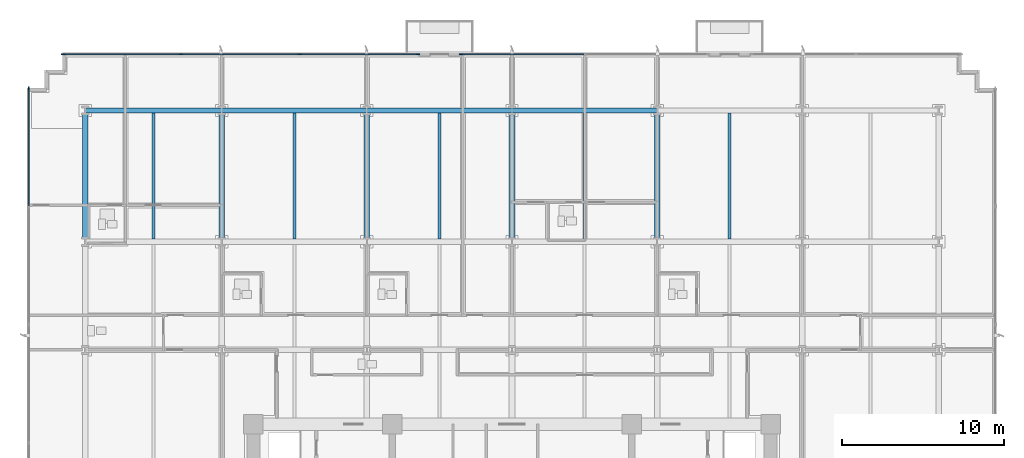
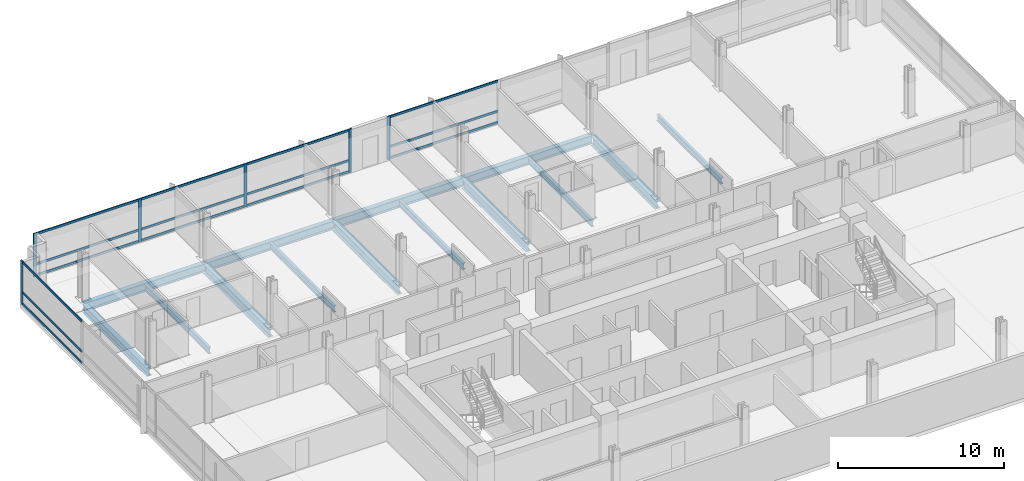
# One storey, part 5 of 16: 21 members, 14 beams, 3 elements without a shape of their own.
"""IFC4 building model written with IfcOpenShell, lengths in metres."""

from ifc_helpers import new_model, si_unit, direction, frame, origin, origin_2d, place, context, subcontext, project, spatial, rectangle, i_section, extrude, material, material_profile, profile_set, type_object, element, aggregate, save


model = new_model("IFC4")

# Units and contexts
model_context = context("Model", 3, precision=1e-05, world=origin(), true_north=direction((0.0, 1.0)))
body_context = subcontext(model_context, "Body", "Model", "MODEL_VIEW")
ifc_project = project(units=[si_unit("LENGTHUNIT", "METRE"), si_unit("AREAUNIT", "SQUARE_METRE"), si_unit("VOLUMEUNIT", "CUBIC_METRE"), si_unit("PLANEANGLEUNIT", "RADIAN"), si_unit("MASSUNIT", "GRAM", prefix="KILO")], contexts=[model_context])

# Site, building, storey
site_placement = place(None, origin())
site = spatial("IfcSite", under=ifc_project, at=site_placement, CompositionType="ELEMENT")
building_placement = place(site_placement, origin())
building = spatial("IfcBuilding", under=site, at=building_placement, Name="Solmavex Isthmus Hotel", CompositionType="ELEMENT")
storey_placement = place(building_placement, frame((0.0, 0.0, 36.75)))
storey = spatial("IfcBuildingStorey", under=building, at=storey_placement, Name="L09", CompositionType="ELEMENT", Elevation=36.75)

# Beams
ifc_material_1 = material(Name="Steel ASTM A992 Grade 50", Category="steel")
ifc_material_profile_1 = material_profile(ifc_material_1, i_section(OverallWidth=0.354736328125, OverallDepth=0.695556640625, WebThickness=0.015380859375, FlangeThickness=0.02490234375, FilletRadius=0.017822265625, at=origin_2d()), Name="W27X146")
ifc_profile_set_1 = profile_set([ifc_material_profile_1], Name="Steel ASTM A992 Grade 50")
beam_type_1 = type_object("IfcBeamType", Name="BM-BG-W27X146", PredefinedType="BEAM", material=ifc_profile_set_1)
for number, where, z_axis, x_axis, name in (
    (1, (-17.951904296875, 8.96533203125, -0.607666015625), (0.0, 1.0, 0.0), (-1.0, 0.0, 0.0), "Floor Beam L09-VG30"),
    (2, (-8.97607421875, 8.96533203125, -0.607666015625), (0.0, 1.0, 0.0), (-1.0, 0.0, 0.0), "Floor Beam L09-VG34"),
    (3, (0.0, 8.96533203125, -0.607666015625), (0.0, 1.0, 0.0), (-1.0, 0.0, 0.0), "Floor Beam L09-VG38"),
    (4, (8.97607421875, 8.96533203125, -0.607666015625), (0.0, 1.0, 0.0), (-1.0, 0.0, 0.0), "Floor Beam L09-VG42"),
):
    element("IfcBeam", number, at=place(storey_placement, frame(where, z_axis=z_axis, x_axis=x_axis)), inside=storey, type_object=beam_type_1, Name=name, PredefinedType="BEAM", context=body_context, shape_type="SweptSolid", body=[
        extrude(i_section(OverallWidth=0.354736328125, OverallDepth=0.695556640625, WebThickness=0.015380859375, FlangeThickness=0.02490234375, FilletRadius=0.017822265625, at=origin_2d()), origin(), (0.0, 0.0, 1.0), 7.771484375),
    ])
ifc_material_profile_2 = material_profile(ifc_material_1, i_section(OverallWidth=0.1904296875, OverallDepth=0.456787109375, WebThickness=0.009033203125, FlangeThickness=0.014404296875, FilletRadius=0.0126953125, at=origin_2d()), Name="W18X50")
ifc_profile_set_2 = profile_set([ifc_material_profile_2], Name="Steel ASTM A992 Grade 50")
beam_type_2 = type_object("IfcBeamType", Name="BM-BJ-W18X50", PredefinedType="JOIST", material=ifc_profile_set_2)
for number, where, z_axis, x_axis, name in (
    (5, (-22.176025390625, 8.96533203125, -0.488525390625), (0.0, 1.0, 0.0), (-1.0, 0.0, 0.0), "Secondary Floor Joist L09-J03"),
    (6, (-13.464111328125, 8.96533203125, -0.488525390625), (0.0, 1.0, 0.0), (-1.0, 0.0, 0.0), "Secondary Floor Joist L09-J07"),
    (7, (-4.488037109375, 8.96533203125, -0.488525390625), (0.0, 1.0, 0.0), (-1.0, 0.0, 0.0), "Secondary Floor Joist L09-J11"),
    (8, (4.488037109375, 8.96533203125, -0.488525390625), (0.0, 1.0, 0.0), (-1.0, 0.0, 0.0), "Secondary Floor Joist L09-J15"),
    (9, (13.464111328125, 8.96533203125, -0.488525390625), (0.0, 1.0, 0.0), (-1.0, 0.0, 0.0), "Secondary Floor Joist L09-J19"),
):
    element("IfcBeam", number, at=place(storey_placement, frame(where, z_axis=z_axis, x_axis=x_axis)), inside=storey, type_object=beam_type_2, Name=name, PredefinedType="JOIST", context=body_context, shape_type="SweptSolid", body=[
        extrude(i_section(OverallWidth=0.1904296875, OverallDepth=0.456787109375, WebThickness=0.009033203125, FlangeThickness=0.014404296875, FilletRadius=0.0126953125, at=origin_2d()), origin(), (0.0, 0.0, 1.0), 7.771484375),
    ])
ifc_material_profile_3 = material_profile(ifc_material_1, i_section(OverallWidth=0.326416015625, OverallDepth=0.621826171875, WebThickness=0.015380859375, FlangeThickness=0.0244140625, FilletRadius=0.01513671875, at=origin_2d()), Name="W24X131")
ifc_profile_set_3 = profile_set([ifc_material_profile_3], Name="Steel ASTM A992 Grade 50")
beam_type_3 = type_object("IfcBeamType", Name="BM-SP-W24X131", PredefinedType="SPANDREL", material=ifc_profile_set_3)
beam_1_placement = place(storey_placement, frame((-26.39990234375, 16.89990234375, -0.57080078125), z_axis=(1.0, 0.0, 0.0), x_axis=(0.0, 1.0, 0.0)))
element("IfcBeam", 10, at=beam_1_placement, inside=storey, type_object=beam_type_3, Name="Floor Girder L09-UG19", PredefinedType="SPANDREL", context=body_context, shape_type="SweptSolid", body=[
    extrude(i_section(OverallWidth=0.326416015625, OverallDepth=0.621826171875, WebThickness=0.015380859375, FlangeThickness=0.0244140625, FilletRadius=0.01513671875, at=origin_2d()), origin(), (0.0, 0.0, 1.0), 8.447998046875),
])
beam_2_placement = place(storey_placement, frame((-17.951904296875, 16.89990234375, -0.57080078125), z_axis=(1.0, 0.0, 0.0), x_axis=(0.0, 1.0, 0.0)))
element("IfcBeam", 11, at=beam_2_placement, inside=storey, type_object=beam_type_3, Name="Floor Girder L09-UG20", PredefinedType="SPANDREL", context=body_context, shape_type="SweptSolid", body=[
    extrude(i_section(OverallWidth=0.326416015625, OverallDepth=0.621826171875, WebThickness=0.015380859375, FlangeThickness=0.0244140625, FilletRadius=0.01513671875, at=origin_2d()), origin(), (0.0, 0.0, 1.0), 8.975830078125),
])
for number, where, z_axis, x_axis, name in (
    (12, (-8.97607421875, 16.89990234375, -0.57080078125), (1.0, 0.0, 0.0), (0.0, 1.0, 0.0), "Floor Girder L09-UG21"),
    (13, (0.0, 16.89990234375, -0.57080078125), (1.0, 0.0, 0.0), (0.0, 1.0, 0.0), "Floor Girder L09-UG22"),
):
    element("IfcBeam", number, at=place(storey_placement, frame(where, z_axis=z_axis, x_axis=x_axis)), inside=storey, type_object=beam_type_3, Name=name, PredefinedType="SPANDREL", context=body_context, shape_type="SweptSolid", body=[
        extrude(i_section(OverallWidth=0.326416015625, OverallDepth=0.621826171875, WebThickness=0.015380859375, FlangeThickness=0.0244140625, FilletRadius=0.01513671875, at=origin_2d()), origin(), (0.0, 0.0, 1.0), 8.97607421875),
    ])
beam_3_placement = place(storey_placement, frame((-26.39990234375, 8.96533203125, -0.57080078125), z_axis=(0.0, 1.0, 0.0), x_axis=(-1.0, 0.0, 0.0)))
element("IfcBeam", 14, at=beam_3_placement, inside=storey, type_object=beam_type_3, Name="Floor Beam L09-VG27", PredefinedType="SPANDREL", context=body_context, shape_type="SweptSolid", body=[
    extrude(i_section(OverallWidth=0.326416015625, OverallDepth=0.621826171875, WebThickness=0.015380859375, FlangeThickness=0.0244140625, FilletRadius=0.01513671875, at=origin_2d()), origin(), (0.0, 0.0, 1.0), 7.771484375),
])

# Curtain wall, members
ifc_material_2 = material(Name="Aluminium alloy 6063-T6", Category="aluminium")
curtain_wall_type = type_object("IfcCurtainWallType", Name="CW-SYS-02", PredefinedType="NOTDEFINED", material=ifc_material_2)
curtain_wall_1_placement = place(storey_placement, origin())
curtain_wall_1 = element("IfcCurtainWall", 15, at=curtain_wall_1_placement, inside=storey, type_object=curtain_wall_type, Name="Stick Curtain Wall CWL-L09-N1", PredefinedType="NOTDEFINED")
ifc_material_profile_4 = material_profile(ifc_material_2, rectangle(XDim=0.074951171875, YDim=0.219970703125, at=origin_2d()), Name="CWM-75X220")
ifc_profile_set_4 = profile_set([ifc_material_profile_4], Name="Aluminium alloy 6063-T6")
member_type_1 = type_object("IfcMemberType", Name="CW-SYS-02-MUL", PredefinedType="MULLION", material=ifc_profile_set_4)
member_1_placement = place(storey_placement, frame((-27.762451171875, 20.3798828125, 0.0), z_axis=(0.0, 0.0, 1.0), x_axis=(0.0, 1.0, 0.0)))
member_1 = element("IfcMember", 16, at=member_1_placement, type_object=member_type_1, Name="CW-02 mullion 1", PredefinedType="MULLION", context=body_context, shape_type="SweptSolid", body=[
    extrude(rectangle(XDim=0.074951171875, YDim=0.219970703125, at=origin_2d()), origin(), (0.0, 0.0, 1.0), 3.18994140625),
])
member_2_placement = place(storey_placement, frame((-20.462646484375, 20.3798828125, 0.0), z_axis=(0.0, 0.0, 1.0), x_axis=(0.0, 1.0, 0.0)))
member_2 = element("IfcMember", 17, at=member_2_placement, type_object=member_type_1, Name="CW-02 mullion 2", PredefinedType="MULLION", context=body_context, shape_type="SweptSolid", body=[
    extrude(rectangle(XDim=0.074951171875, YDim=0.219970703125, at=origin_2d()), origin(), (0.0, 0.0, 1.0), 3.18994140625),
])
member_3_placement = place(storey_placement, frame((-13.125244140625, 20.3798828125, 0.0), z_axis=(0.0, 0.0, 1.0), x_axis=(0.0, 1.0, 0.0)))
member_3 = element("IfcMember", 18, at=member_3_placement, type_object=member_type_1, Name="CW-02 mullion 3", PredefinedType="MULLION", context=body_context, shape_type="SweptSolid", body=[
    extrude(rectangle(XDim=0.074951171875, YDim=0.219970703125, at=origin_2d()), origin(), (0.0, 0.0, 1.0), 3.18994140625),
])
member_4_placement = place(storey_placement, frame((-5.825439453125, 20.3798828125, 0.0), z_axis=(0.0, 0.0, 1.0), x_axis=(0.0, 1.0, 0.0)))
member_4 = element("IfcMember", 19, at=member_4_placement, type_object=member_type_1, Name="CW-02 mullion 4", PredefinedType="MULLION", context=body_context, shape_type="SweptSolid", body=[
    extrude(rectangle(XDim=0.074951171875, YDim=0.219970703125, at=origin_2d()), origin(), (0.0, 0.0, 1.0), 3.18994140625),
])

# Curtain wall, member
curtain_wall_2_placement = place(storey_placement, origin())
curtain_wall_2 = element("IfcCurtainWall", 20, at=curtain_wall_2_placement, inside=storey, type_object=curtain_wall_type, Name="Stick Curtain Wall CWL-L09-N2", PredefinedType="NOTDEFINED")
member_5_placement = place(storey_placement, frame((-3.150390625, 20.3798828125, 0.0), z_axis=(0.0, 0.0, 1.0), x_axis=(0.0, 1.0, 0.0)))
member_5 = element("IfcMember", 21, at=member_5_placement, type_object=member_type_1, Name="CW-02 mullion 1", PredefinedType="MULLION", context=body_context, shape_type="SweptSolid", body=[
    extrude(rectangle(XDim=0.074951171875, YDim=0.219970703125, at=origin_2d()), origin(), (0.0, 0.0, 1.0), 3.18994140625),
])

curtain_wall_3_placement = place(storey_placement, origin())
curtain_wall_3 = element("IfcCurtainWall", 22, at=curtain_wall_3_placement, inside=storey, type_object=curtain_wall_type, Name="Stick Curtain Wall CWL-L09-W1", PredefinedType="NOTDEFINED")
member_6_placement = place(storey_placement, frame((-29.8798828125, 18.262451171875, 0.0), z_axis=(0.0, 0.0, 1.0), x_axis=(-1.0, 0.0, 0.0)))
member_6 = element("IfcMember", 23, at=member_6_placement, type_object=member_type_1, Name="CW-02 mullion 6", PredefinedType="MULLION", context=body_context, shape_type="SweptSolid", body=[
    extrude(rectangle(XDim=0.074951171875, YDim=0.219970703125, at=origin_2d()), origin(), (0.0, 0.0, 1.0), 3.18994140625),
])

# Member
ifc_material_profile_5 = material_profile(ifc_material_2, rectangle(XDim=0.074951171875, YDim=0.159912109375, at=origin_2d()), Name="CWT-75X160")
ifc_profile_set_5 = profile_set([ifc_material_profile_5], Name="Aluminium alloy 6063-T6")
member_type_2 = type_object("IfcMemberType", Name="CW-SYS-02-TRN", PredefinedType="USERDEFINED", material=ifc_profile_set_5)
member_7_placement = place(storey_placement, frame((-27.72509765625, 20.3798828125, 0.080078125), z_axis=(1.0, 0.0, 0.0), x_axis=(0.0, 1.0, 0.0)))
member_7 = element("IfcMember", 24, at=member_7_placement, type_object=member_type_2, Name="CW-02 transom 1.1", ObjectType="TRANSOM", PredefinedType="USERDEFINED", context=body_context, shape_type="SweptSolid", body=[
    extrude(rectangle(XDim=0.074951171875, YDim=0.159912109375, at=origin_2d()), origin(), (0.0, 0.0, 1.0), 7.224853515625),
])

member_8_placement = place(storey_placement, frame((-27.72509765625, 20.3798828125, 0.89990234375), z_axis=(1.0, 0.0, 0.0), x_axis=(0.0, 1.0, 0.0)))
member_8 = element("IfcMember", 25, at=member_8_placement, type_object=member_type_2, Name="CW-02 transom 1.2", ObjectType="TRANSOM", PredefinedType="USERDEFINED", context=body_context, shape_type="SweptSolid", body=[
    extrude(rectangle(XDim=0.074951171875, YDim=0.159912109375, at=origin_2d()), origin(), (0.0, 0.0, 1.0), 7.224853515625),
])

member_9_placement = place(storey_placement, frame((-27.72509765625, 20.3798828125, 3.110107421875), z_axis=(1.0, 0.0, 0.0), x_axis=(0.0, 1.0, 0.0)))
member_9 = element("IfcMember", 26, at=member_9_placement, type_object=member_type_2, Name="CW-02 transom 1.3", ObjectType="TRANSOM", PredefinedType="USERDEFINED", context=body_context, shape_type="SweptSolid", body=[
    extrude(rectangle(XDim=0.074951171875, YDim=0.159912109375, at=origin_2d()), origin(), (0.0, 0.0, 1.0), 7.224853515625),
])

member_10_placement = place(storey_placement, frame((-20.425048828125, 20.3798828125, 0.080078125), z_axis=(1.0, 0.0, 0.0), x_axis=(0.0, 1.0, 0.0)))
member_10 = element("IfcMember", 27, at=member_10_placement, type_object=member_type_2, Name="CW-02 transom 2.1", ObjectType="TRANSOM", PredefinedType="USERDEFINED", context=body_context, shape_type="SweptSolid", body=[
    extrude(rectangle(XDim=0.074951171875, YDim=0.159912109375, at=origin_2d()), origin(), (0.0, 0.0, 1.0), 7.26220703125),
])

member_11_placement = place(storey_placement, frame((-20.425048828125, 20.3798828125, 0.89990234375), z_axis=(1.0, 0.0, 0.0), x_axis=(0.0, 1.0, 0.0)))
member_11 = element("IfcMember", 28, at=member_11_placement, type_object=member_type_2, Name="CW-02 transom 2.2", ObjectType="TRANSOM", PredefinedType="USERDEFINED", context=body_context, shape_type="SweptSolid", body=[
    extrude(rectangle(XDim=0.074951171875, YDim=0.159912109375, at=origin_2d()), origin(), (0.0, 0.0, 1.0), 7.26220703125),
])

member_12_placement = place(storey_placement, frame((-20.425048828125, 20.3798828125, 3.110107421875), z_axis=(1.0, 0.0, 0.0), x_axis=(0.0, 1.0, 0.0)))
member_12 = element("IfcMember", 29, at=member_12_placement, type_object=member_type_2, Name="CW-02 transom 2.3", ObjectType="TRANSOM", PredefinedType="USERDEFINED", context=body_context, shape_type="SweptSolid", body=[
    extrude(rectangle(XDim=0.074951171875, YDim=0.159912109375, at=origin_2d()), origin(), (0.0, 0.0, 1.0), 7.26220703125),
])

member_13_placement = place(storey_placement, frame((-13.087890625, 20.3798828125, 0.080078125), z_axis=(1.0, 0.0, 0.0), x_axis=(0.0, 1.0, 0.0)))
member_13 = element("IfcMember", 30, at=member_13_placement, type_object=member_type_2, Name="CW-02 transom 3.1", ObjectType="TRANSOM", PredefinedType="USERDEFINED", context=body_context, shape_type="SweptSolid", body=[
    extrude(rectangle(XDim=0.074951171875, YDim=0.159912109375, at=origin_2d()), origin(), (0.0, 0.0, 1.0), 7.224853515625),
])

member_14_placement = place(storey_placement, frame((-13.087890625, 20.3798828125, 0.89990234375), z_axis=(1.0, 0.0, 0.0), x_axis=(0.0, 1.0, 0.0)))
member_14 = element("IfcMember", 31, at=member_14_placement, type_object=member_type_2, Name="CW-02 transom 3.2", ObjectType="TRANSOM", PredefinedType="USERDEFINED", context=body_context, shape_type="SweptSolid", body=[
    extrude(rectangle(XDim=0.074951171875, YDim=0.159912109375, at=origin_2d()), origin(), (0.0, 0.0, 1.0), 7.224853515625),
])

member_15_placement = place(storey_placement, frame((-13.087890625, 20.3798828125, 3.110107421875), z_axis=(1.0, 0.0, 0.0), x_axis=(0.0, 1.0, 0.0)))
member_15 = element("IfcMember", 32, at=member_15_placement, type_object=member_type_2, Name="CW-02 transom 3.3", ObjectType="TRANSOM", PredefinedType="USERDEFINED", context=body_context, shape_type="SweptSolid", body=[
    extrude(rectangle(XDim=0.074951171875, YDim=0.159912109375, at=origin_2d()), origin(), (0.0, 0.0, 1.0), 7.224853515625),
])

aggregate(curtain_wall_1, [member_1, member_2, member_3, member_4, member_7, member_8, member_9, member_10, member_11, member_12, member_13, member_14, member_15])

member_16_placement = place(storey_placement, frame((-3.113037109375, 20.3798828125, 0.080078125), z_axis=(1.0, 0.0, 0.0), x_axis=(0.0, 1.0, 0.0)))
member_16 = element("IfcMember", 33, at=member_16_placement, type_object=member_type_2, Name="CW-02 transom 1.1", ObjectType="TRANSOM", PredefinedType="USERDEFINED", context=body_context, shape_type="SweptSolid", body=[
    extrude(rectangle(XDim=0.074951171875, YDim=0.159912109375, at=origin_2d()), origin(), (0.0, 0.0, 1.0), 7.5634765625),
])

member_17_placement = place(storey_placement, frame((-3.113037109375, 20.3798828125, 0.89990234375), z_axis=(1.0, 0.0, 0.0), x_axis=(0.0, 1.0, 0.0)))
member_17 = element("IfcMember", 34, at=member_17_placement, type_object=member_type_2, Name="CW-02 transom 1.2", ObjectType="TRANSOM", PredefinedType="USERDEFINED", context=body_context, shape_type="SweptSolid", body=[
    extrude(rectangle(XDim=0.074951171875, YDim=0.159912109375, at=origin_2d()), origin(), (0.0, 0.0, 1.0), 7.5634765625),
])

member_18_placement = place(storey_placement, frame((-3.113037109375, 20.3798828125, 3.110107421875), z_axis=(1.0, 0.0, 0.0), x_axis=(0.0, 1.0, 0.0)))
member_18 = element("IfcMember", 35, at=member_18_placement, type_object=member_type_2, Name="CW-02 transom 1.3", ObjectType="TRANSOM", PredefinedType="USERDEFINED", context=body_context, shape_type="SweptSolid", body=[
    extrude(rectangle(XDim=0.074951171875, YDim=0.159912109375, at=origin_2d()), origin(), (0.0, 0.0, 1.0), 7.5634765625),
])

aggregate(curtain_wall_2, [member_5, member_16, member_17, member_18])

member_19_placement = place(storey_placement, frame((-29.8798828125, 11.017578125, 0.080078125), z_axis=(0.0, 1.0, 0.0), x_axis=(-1.0, 0.0, 0.0)))
member_19 = element("IfcMember", 36, at=member_19_placement, type_object=member_type_2, Name="CW-02 transom 5.1", ObjectType="TRANSOM", PredefinedType="USERDEFINED", context=body_context, shape_type="SweptSolid", body=[
    extrude(rectangle(XDim=0.074951171875, YDim=0.159912109375, at=origin_2d()), origin(), (0.0, 0.0, 1.0), 7.20751953125),
])

member_20_placement = place(storey_placement, frame((-29.8798828125, 11.017578125, 0.89990234375), z_axis=(0.0, 1.0, 0.0), x_axis=(-1.0, 0.0, 0.0)))
member_20 = element("IfcMember", 37, at=member_20_placement, type_object=member_type_2, Name="CW-02 transom 5.2", ObjectType="TRANSOM", PredefinedType="USERDEFINED", context=body_context, shape_type="SweptSolid", body=[
    extrude(rectangle(XDim=0.074951171875, YDim=0.159912109375, at=origin_2d()), origin(), (0.0, 0.0, 1.0), 7.20751953125),
])

member_21_placement = place(storey_placement, frame((-29.8798828125, 11.017578125, 3.110107421875), z_axis=(0.0, 1.0, 0.0), x_axis=(-1.0, 0.0, 0.0)))
member_21 = element("IfcMember", 38, at=member_21_placement, type_object=member_type_2, Name="CW-02 transom 5.3", ObjectType="TRANSOM", PredefinedType="USERDEFINED", context=body_context, shape_type="SweptSolid", body=[
    extrude(rectangle(XDim=0.074951171875, YDim=0.159912109375, at=origin_2d()), origin(), (0.0, 0.0, 1.0), 7.20751953125),
])

aggregate(curtain_wall_3, [member_6, member_19, member_20, member_21])

save(model, "model.ifc")
